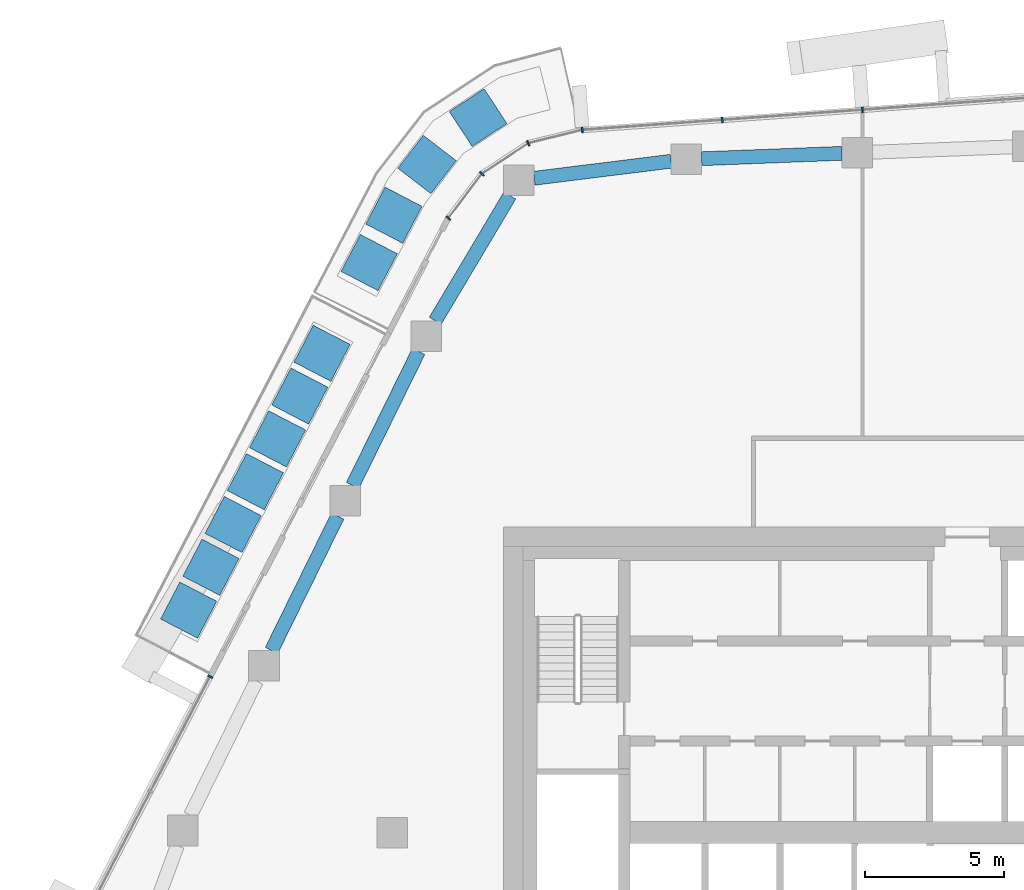
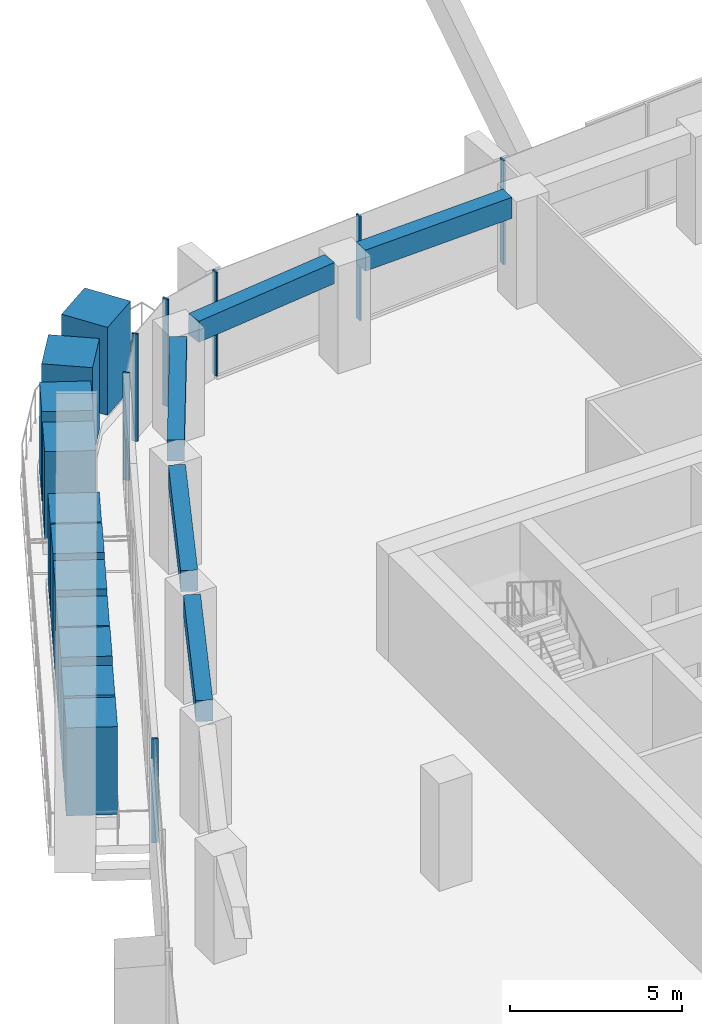
# One storey, part 6 of 20: 18 members, 5 beams, 3 elements without a shape of their own.
"""IFC4 building model written with IfcOpenShell, lengths in metres."""

import ifcopenshell
import ifcopenshell.guid

model = None  # the IFC model being written
_history = None  # IfcOwnerHistory: only IFC2X3 demands one
_inside = {}  # id of a spatial element -> (the spatial element, [elements in it])
_under = {}  # id of a project, library or spatial element -> (it, [spatial elements below it])
_declared = {}  # id of a project -> (the project, [libraries it declares])
_typed = {}  # id of a type object -> (the type object, [elements of that type])
_made_of = {}  # id of a material, layer set ... -> (it, [elements and type objects made of it])


def new_model(schema):
    """Start an empty IFC model of exactly this schema.

    Asked for "IFC4X3", IfcOpenShell would pick the latest addendum, in which some entities
    have other attributes; the version numbers below select the first issue.
    IFC2X3 requires an IfcOwnerHistory on every rooted entity: one is made here for all.
    """
    global model, _history
    if schema == "IFC4X3":
        model = ifcopenshell.file(schema_version=(4, 3, 0, 0))
    else:
        model = ifcopenshell.file(schema=schema)
    _inside.clear()
    _under.clear()
    _declared.clear()
    _typed.clear()
    _made_of.clear()
    _history = None
    if model.schema == "IFC2X3":
        org = make("IfcOrganization", Name="unknown")
        user = make(
            "IfcPersonAndOrganization",
            ThePerson=make("IfcPerson", FamilyName="unknown"),
            TheOrganization=org,
        )
        app = make(
            "IfcApplication",
            ApplicationDeveloper=org,
            Version="unknown",
            ApplicationFullName="unknown",
            ApplicationIdentifier="unknown",
        )
        _history = make(
            "IfcOwnerHistory",
            OwningUser=user,
            OwningApplication=app,
            ChangeAction="ADDED",
            CreationDate=0,
        )
    return model


def make(cls, **values):
    """One entity of the class cls with the attributes given. An attribute that is None is left unset."""
    return model.create_entity(
        cls, **{name: value for name, value in values.items() if value is not None}
    )


def rooted(cls, **values):
    """An entity with a GlobalId (a new one), such as an element, a storey or a relation."""
    return make(cls, GlobalId=ifcopenshell.guid.new(), OwnerHistory=_history, **values)


def si_unit(unit_type, name, prefix=None):
    """IfcSIUnit, for example si_unit("LENGTHUNIT", "METRE", prefix="MILLI")."""
    return make("IfcSIUnit", UnitType=unit_type, Prefix=prefix, Name=name)


def assignment(units):
    """IfcUnitAssignment: the units of a project."""
    return None if units is None else make("IfcUnitAssignment", Units=units)


def point(xyz):
    """IfcCartesianPoint."""
    return None if xyz is None else make("IfcCartesianPoint", Coordinates=xyz)


def direction(xyz):
    """IfcDirection."""
    return None if xyz is None else make("IfcDirection", DirectionRatios=xyz)


def frame(location, z_axis=None, x_axis=None):
    """IfcAxis2Placement3D, a coordinate frame: its origin and axes. An axis left out is left unset."""
    return make(
        "IfcAxis2Placement3D",
        Location=point(location),
        Axis=direction(z_axis),
        RefDirection=direction(x_axis),
    )


def frame_2d(location, x_axis=None):
    """IfcAxis2Placement2D, a coordinate frame in the plane: its origin and x axis."""
    return make(
        "IfcAxis2Placement2D", Location=point(location), RefDirection=direction(x_axis)
    )


def origin():
    """The frame at (0, 0, 0) with its axes left unset."""
    return frame((0.0, 0.0, 0.0))


def origin_2d():
    """The frame at (0, 0) in the plane with its x axis left unset."""
    return frame_2d((0.0, 0.0))


def place(relative_to, where):
    """IfcLocalPlacement: puts the frame where relative to a parent placement (None: the world)."""
    return make(
        "IfcLocalPlacement", PlacementRelTo=relative_to, RelativePlacement=where
    )


def context(
    kind, dimensions, precision=None, world=None, true_north=None, identifier=None
):
    """IfcGeometricRepresentationContext, for example the 3D "Model" context."""
    return make(
        "IfcGeometricRepresentationContext",
        ContextIdentifier=identifier,
        ContextType=kind,
        CoordinateSpaceDimension=dimensions,
        Precision=precision,
        WorldCoordinateSystem=world,
        TrueNorth=true_north,
    )


def subcontext(parent, identifier, kind, view, scale=None):
    """IfcGeometricRepresentationSubContext, for example "Body" below "Model"."""
    return make(
        "IfcGeometricRepresentationSubContext",
        ContextIdentifier=identifier,
        ContextType=kind,
        ParentContext=parent,
        TargetScale=scale,
        TargetView=view,
    )


def project(units=None, contexts=None):
    """IfcProject with its units and contexts."""
    return rooted(
        "IfcProject",
        Name="project",
        RepresentationContexts=contexts,
        UnitsInContext=assignment(units),
    )


def spatial(cls, under=None, at=None, **own):
    """A site, building, storey or space (cls), placed at a placement, below another one or the project."""
    s = rooted(cls, ObjectPlacement=at, **own)
    if under is not None:
        _under.setdefault(under.id(), (under, []))[1].append(s)
    return s


def profile(cls, at=None, kind="AREA", **sizes):
    """A parametric profile (cls). Its sizes go by their IFC names, for example OverallWidth=200.0."""
    return make(cls, ProfileType=kind, Position=at, **sizes)


def rectangle(**sizes):
    """IfcRectangleProfileDef."""
    return profile("IfcRectangleProfileDef", **sizes)


def extrude(swept, where, along, depth):
    """IfcExtrudedAreaSolid: the profile swept, set in the frame where, extruded along a direction by depth."""
    return make(
        "IfcExtrudedAreaSolid",
        SweptArea=swept,
        Position=where,
        ExtrudedDirection=direction(along),
        Depth=depth,
    )


def shape(context_of_items, identifier, shape_type, items):
    """IfcShapeRepresentation: the items that make up one representation, for example the "Body"."""
    return make(
        "IfcShapeRepresentation",
        ContextOfItems=context_of_items,
        RepresentationIdentifier=identifier,
        RepresentationType=shape_type,
        Items=items,
    )


def material(Name=None, Category=None):
    """IfcMaterial."""
    return make("IfcMaterial", Name=Name, Category=Category)


def layer(
    of_material, thickness, ventilated=None, Name=None, Category=None, Priority=None
):
    """IfcMaterialLayer: one layer of a wall or slab, of a material (None: an air gap)."""
    return make(
        "IfcMaterialLayer",
        Material=of_material,
        LayerThickness=thickness,
        IsVentilated=ventilated,
        Name=Name,
        Category=Category,
        Priority=Priority,
    )


def layer_set(layers, Name=None):
    """IfcMaterialLayerSet."""
    return make("IfcMaterialLayerSet", MaterialLayers=layers, LayerSetName=Name)


def material_profile(
    of_material, cross_section, Name=None, Category=None, Priority=None
):
    """IfcMaterialProfile: a cross section and its material."""
    return make(
        "IfcMaterialProfile",
        Name=Name,
        Material=of_material,
        Profile=cross_section,
        Priority=Priority,
        Category=Category,
    )


def profile_set(profiles, Name=None, composite=None):
    """IfcMaterialProfileSet."""
    return make(
        "IfcMaterialProfileSet",
        Name=Name,
        MaterialProfiles=profiles,
        CompositeProfile=composite,
    )


def made_of(thing, what):
    """Note that an element or type object is made of a material, layer set ...; save() writes the relation."""
    if what is not None:
        _made_of.setdefault(what.id(), (what, []))[1].append(thing)
    return thing


def type_object(cls, material=None, **own):
    """A type object (cls), such as IfcWallType, which elements share."""
    return made_of(rooted(cls, **own), material)


def element(
    cls,
    number,
    at=None,
    inside=None,
    cuts=None,
    type_object=None,
    material=None,
    context=None,
    identifier="Body",
    shape_type=None,
    held_by="IfcProductDefinitionShape",
    body=None,
    shapes=None,
    **own,
):
    """One element of the class cls, such as IfcWall. Its Tag is "e" and its number.

    at: its placement. inside: the storey or other place that contains it. cuts: it is an
    opening in that element (IfcRelVoidsElement). A single representation is given by context,
    identifier, shape_type and body (its items); several are given by shapes. held_by: the class
    of the entity that holds the representations. save() writes the other relations.
    """
    e = rooted(cls, Tag="e%d" % number, ObjectPlacement=at, **own)
    if body is not None:
        shapes = [shape(context, identifier, shape_type, body)]
    if shapes is not None:
        e.Representation = make(held_by, Representations=shapes)
    if inside is not None:
        _inside.setdefault(inside.id(), (inside, []))[1].append(e)
    if cuts is not None:
        rooted(
            "IfcRelVoidsElement", RelatingBuildingElement=cuts, RelatedOpeningElement=e
        )
    if type_object is not None:
        _typed.setdefault(type_object.id(), (type_object, []))[1].append(e)
    return made_of(e, material)


def aggregate(whole, parts):
    """IfcRelAggregates: a whole, such as a stair, and the parts it consists of."""
    return rooted("IfcRelAggregates", RelatingObject=whole, RelatedObjects=parts)


def save(model, path):
    """Write the relations noted so far, then the file.

    IfcRelAggregates (storeys below a building ...), IfcRelContainedInSpatialStructure (elements
    in a storey), IfcRelDefinesByType, IfcRelAssociatesMaterial and IfcRelDeclares: one each for
    every whole, place, type object, material and project.
    """
    for whole, parts in _under.values():
        aggregate(whole, parts)
    for where, things in _inside.values():
        rooted(
            "IfcRelContainedInSpatialStructure",
            RelatedElements=things,
            RelatingStructure=where,
        )
    for kind, things in _typed.values():
        rooted("IfcRelDefinesByType", RelatedObjects=things, RelatingType=kind)
    for what, things in _made_of.values():
        rooted("IfcRelAssociatesMaterial", RelatedObjects=things, RelatingMaterial=what)
    for by, libraries in _declared.values():
        rooted("IfcRelDeclares", RelatingContext=by, RelatedDefinitions=libraries)
    model.write(path)


model = new_model("IFC4")

# Units and contexts
model_context = context("Model", 3, precision=1e-05, world=origin(), true_north=direction((0.0, 1.0)))
body_context = subcontext(model_context, "Body", "Model", "MODEL_VIEW")
ifc_project = project(units=[si_unit("LENGTHUNIT", "METRE"), si_unit("AREAUNIT", "SQUARE_METRE"), si_unit("VOLUMEUNIT", "CUBIC_METRE"), si_unit("PLANEANGLEUNIT", "RADIAN"), si_unit("MASSUNIT", "GRAM", prefix="KILO")], contexts=[model_context])

# Site, building, storey
site_placement = place(None, origin())
site = spatial("IfcSite", under=ifc_project, at=site_placement, CompositionType="ELEMENT")
building_placement = place(site_placement, origin())
building = spatial("IfcBuilding", under=site, at=building_placement, Name="Dongbaek Canopy Tower", CompositionType="ELEMENT")
storey_placement = place(building_placement, frame((0.0, 0.0, 266.39990234375)))
storey = spatial("IfcBuildingStorey", under=building, at=storey_placement, Name="L56", CompositionType="ELEMENT", Elevation=266.39990234375)

# Curtain wall, members
ifc_material_1 = material(Name="Aluminium 6063-T6 pale anodised", Category="aluminium")
ifc_layer = layer(ifc_material_1, 0.199951171875)
ifc_layer_set = layer_set([ifc_layer], Name="CW-1 unitised tower curtain wall")
curtain_wall_type = type_object("IfcCurtainWallType", Name="CW-1 unitised tower curtain wall", PredefinedType="NOTDEFINED", material=ifc_layer_set)
curtain_wall_1_placement = place(storey_placement, origin())
curtain_wall_1 = element("IfcCurtainWall", 1, at=curtain_wall_1_placement, inside=storey, type_object=curtain_wall_type, Name="CW-1 curtain wall F1.1", PredefinedType="NOTDEFINED")
ifc_material_2 = material(Name="Aluminium 6063-T6 pale anodised", Category="aluminium")
ifc_material_profile_1 = material_profile(ifc_material_2, rectangle(XDim=0.199951171875, YDim=0.06005859375, at=origin_2d()), Name="CW-1 mullion 60 x 200")
ifc_profile_set_1 = profile_set([ifc_material_profile_1], Name="Aluminium 6063-T6 pale anodised")
member_type_1 = type_object("IfcMemberType", Name="CW-1 mullion 60 x 200", PredefinedType="MULLION", material=ifc_profile_set_1)
member_1_placement = place(storey_placement, frame((-1.07568359375, 26.025146484375, 0.1201171875), z_axis=(0.0, 0.0, 1.0), x_axis=(-0.07174408026, 0.997423073198, 0.0)))
member_1 = element("IfcMember", 2, at=member_1_placement, type_object=member_type_1, Name="CW-1 mullion F1.1.3", PredefinedType="MULLION", context=body_context, shape_type="SweptSolid", body=[
    extrude(rectangle(XDim=0.199951171875, YDim=0.06005859375, at=origin_2d()), origin(), (0.0, 0.0, 1.0), 3.699951171875),
])
member_2_placement = place(storey_placement, frame((-6.123046875, 25.662109375, 0.1201171875), z_axis=(0.0, 0.0, 1.0), x_axis=(-0.07174408026, 0.997423073198, 0.0)))
member_2 = element("IfcMember", 3, at=member_2_placement, type_object=member_type_1, Name="CW-1 mullion F1.1.4", PredefinedType="MULLION", context=body_context, shape_type="SweptSolid", body=[
    extrude(rectangle(XDim=0.199951171875, YDim=0.06005859375, at=origin_2d()), origin(), (0.0, 0.0, 1.0), 3.699951171875),
])
member_3_placement = place(storey_placement, frame((-11.161865234375, 25.2998046875, 0.1201171875), z_axis=(0.0, 0.0, 1.0), x_axis=(-0.07174408026, 0.997423073198, 0.0)))
member_3 = element("IfcMember", 4, at=member_3_placement, type_object=member_type_1, Name="CW-1 mullion F1.1.5", PredefinedType="MULLION", context=body_context, shape_type="SweptSolid", body=[
    extrude(rectangle(XDim=0.199951171875, YDim=0.06005859375, at=origin_2d()), origin(), (0.0, 0.0, 1.0), 3.699951171875),
])
aggregate(curtain_wall_1, [member_1, member_2, member_3])

curtain_wall_2_placement = place(storey_placement, origin())
curtain_wall_2 = element("IfcCurtainWall", 5, at=curtain_wall_2_placement, inside=storey, type_object=curtain_wall_type, Name="CW-1 curtain wall K2.1", PredefinedType="NOTDEFINED")
member_4_placement = place(storey_placement, frame((-13.10791015625, 24.819580078125, 0.0), z_axis=(0.0, 0.0, 1.0), x_axis=(-0.400265854964, 0.916399064464, 0.0)))
member_4 = element("IfcMember", 6, at=member_4_placement, type_object=member_type_1, Name="CW-1 mullion K2.1.2", PredefinedType="MULLION", context=body_context, shape_type="SweptSolid", body=[
    extrude(rectangle(XDim=0.199951171875, YDim=0.06005859375, at=origin_2d()), origin(), (0.0, 0.0, 1.0), 3.820068359375),
])
member_5_placement = place(storey_placement, frame((-14.775390625, 23.722900390625, 0.0), z_axis=(0.0, 0.0, 1.0), x_axis=(-0.682960612971, 0.730455201316, 0.0)))
member_5 = element("IfcMember", 7, at=member_5_placement, type_object=member_type_1, Name="CW-1 mullion K2.1.3", PredefinedType="MULLION", context=body_context, shape_type="SweptSolid", body=[
    extrude(rectangle(XDim=0.199951171875, YDim=0.06005859375, at=origin_2d()), origin(), (0.0, 0.0, 1.0), 3.820068359375),
])
member_6_placement = place(storey_placement, frame((-15.987060546875, 22.1259765625, 0.0), z_axis=(0.0, 0.0, 1.0), x_axis=(-0.796696055663, 0.604380174138, 0.0)))
member_6 = element("IfcMember", 8, at=member_6_placement, type_object=member_type_1, Name="CW-1 mullion K2.1.4", PredefinedType="MULLION", context=body_context, shape_type="SweptSolid", body=[
    extrude(rectangle(XDim=0.199951171875, YDim=0.06005859375, at=origin_2d()), origin(), (0.0, 0.0, 1.0), 3.820068359375),
])
aggregate(curtain_wall_2, [member_4, member_5, member_6])

# Curtain wall, member
curtain_wall_3_placement = place(storey_placement, origin())
curtain_wall_3 = element("IfcCurtainWall", 9, at=curtain_wall_3_placement, inside=storey, type_object=curtain_wall_type, Name="CW-1 curtain wall F2.1", PredefinedType="NOTDEFINED")
member_7_placement = place(storey_placement, frame((-24.560791015625, 5.616455078125, 0.1201171875), z_axis=(0.0, 0.0, 1.0), x_axis=(-0.887462222541, 0.460880465591, 0.0)))
member_7 = element("IfcMember", 10, at=member_7_placement, type_object=member_type_1, Name="CW-1 mullion F2.1.1", PredefinedType="MULLION", context=body_context, shape_type="SweptSolid", body=[
    extrude(rectangle(XDim=0.199951171875, YDim=0.06005859375, at=origin_2d()), origin(), (0.0, 0.0, 1.0), 3.699951171875),
])
aggregate(curtain_wall_3, [member_7])

# Beams
ifc_material_3 = material(Name="Concrete C70", Category="concrete")
ifc_material_profile_2 = material_profile(ifc_material_3, rectangle(XDim=0.5, YDim=0.75, at=origin_2d()), Name="RC EDGE BEAM 500x750 C70")
ifc_profile_set_2 = profile_set([ifc_material_profile_2], Name="Concrete C70")
beam_type = type_object("IfcBeamType", Name="RC EDGE BEAM 500x750 C70", PredefinedType="BEAM", material=ifc_profile_set_2)
beam_1_placement = place(storey_placement, frame((-22.350341796875, 6.56103515625, 3.445068359375), z_axis=(0.441366916234, 0.897326721576, 0.0), x_axis=(-0.897326721576, 0.441366916234, 0.0)))
element("IfcBeam", 11, at=beam_1_placement, inside=storey, type_object=beam_type, Name="EDGEBEAM:L56:10", PredefinedType="BEAM", context=body_context, shape_type="SweptSolid", body=[
    extrude(rectangle(XDim=0.5, YDim=0.75, at=origin_2d()), origin(), (0.0, 0.0, 1.0), 5.38720703125),
])
beam_2_placement = place(storey_placement, frame((-19.431396484375, 12.4951171875, 3.445068359375), z_axis=(0.441347181793, 0.89733642806, 0.0), x_axis=(-0.89733642806, 0.441347181793, 0.0)))
element("IfcBeam", 12, at=beam_2_placement, inside=storey, type_object=beam_type, Name="EDGEBEAM:L56:11", PredefinedType="BEAM", context=body_context, shape_type="SweptSolid", body=[
    extrude(rectangle(XDim=0.5, YDim=0.75, at=origin_2d()), origin(), (0.0, 0.0, 1.0), 5.3857421875),
])
beam_3_placement = place(storey_placement, frame((-16.45654296875, 18.427978515625, 3.445068359375), z_axis=(0.511587639318, 0.85923110238, 0.0), x_axis=(-0.85923110238, 0.511587639318, 0.0)))
element("IfcBeam", 13, at=beam_3_placement, inside=storey, type_object=beam_type, Name="EDGEBEAM:L56:12", PredefinedType="BEAM", context=body_context, shape_type="SweptSolid", body=[
    extrude(rectangle(XDim=0.5, YDim=0.75, at=origin_2d()), origin(), (0.0, 0.0, 1.0), 5.252197265625),
])
beam_4_placement = place(storey_placement, frame((-12.89208984375, 23.5595703125, 3.445068359375), z_axis=(0.992305840698, 0.123810817446, 0.0), x_axis=(-0.123810817446, 0.992305840698, 0.0)))
element("IfcBeam", 14, at=beam_4_placement, inside=storey, type_object=beam_type, Name="EDGEBEAM:L56:13", PredefinedType="BEAM", context=body_context, shape_type="SweptSolid", body=[
    extrude(rectangle(XDim=0.5, YDim=0.75, at=origin_2d()), origin(), (0.0, 0.0, 1.0), 4.965087890625),
])
beam_5_placement = place(storey_placement, frame((-6.864990234375, 24.26416015625, 3.445068359375), z_axis=(0.999263812988, 0.038364463397, 0.0), x_axis=(-0.038364463397, 0.999263812988, 0.0)))
element("IfcBeam", 15, at=beam_5_placement, inside=storey, type_object=beam_type, Name="EDGEBEAM:L56:14", PredefinedType="BEAM", context=body_context, shape_type="SweptSolid", body=[
    extrude(rectangle(XDim=0.5, YDim=0.75, at=origin_2d()), origin(), (0.0, 0.0, 1.0), 5.052734375),
])

# Members
ifc_material_4 = material(Name="Concrete C40/50 planter mass with planting", Category="concrete")
ifc_material_profile_3 = material_profile(ifc_material_4, rectangle(XDim=1.5, YDim=1.5, at=origin_2d()), Name="Terrace PLANTER shrub mass 1500 x 1500")
ifc_profile_set_3 = profile_set([ifc_material_profile_3], Name="Concrete C40/50 planter mass with planting")
member_type_2 = type_object("IfcMemberType", Name="Terrace PLANTER shrub mass 1500 x 1500", PredefinedType="USERDEFINED", material=ifc_profile_set_3)
member_8_placement = place(storey_placement, frame((-20.531005859375, 17.259765625, 0.420166015625), z_axis=(0.0, 0.0, 1.0), x_axis=(-0.887462222541, 0.460880465591, 0.0)))
element("IfcMember", 16, at=member_8_placement, inside=storey, type_object=member_type_2, Name="Planter shrubs L56 1.1", ObjectType="PLANTER", PredefinedType="USERDEFINED", context=body_context, shape_type="SweptSolid", body=[
    extrude(rectangle(XDim=1.5, YDim=1.5, at=origin_2d()), origin(), (0.0, 0.0, 1.0), 3.1298828125),
])
member_9_placement = place(storey_placement, frame((-21.33154296875, 15.71826171875, 0.420166015625), z_axis=(0.0, 0.0, 1.0), x_axis=(-0.887462222541, 0.460880465591, 0.0)))
element("IfcMember", 17, at=member_9_placement, inside=storey, type_object=member_type_2, Name="Planter shrubs L56 1.2", ObjectType="PLANTER", PredefinedType="USERDEFINED", context=body_context, shape_type="SweptSolid", body=[
    extrude(rectangle(XDim=1.5, YDim=1.5, at=origin_2d()), origin(), (0.0, 0.0, 1.0), 3.25),
])
member_10_placement = place(storey_placement, frame((-22.132080078125, 14.1767578125, 0.420166015625), z_axis=(0.0, 0.0, 1.0), x_axis=(-0.887462222541, 0.460880465591, 0.0)))
element("IfcMember", 18, at=member_10_placement, inside=storey, type_object=member_type_2, Name="Planter shrubs L56 1.3", ObjectType="PLANTER", PredefinedType="USERDEFINED", context=body_context, shape_type="SweptSolid", body=[
    extrude(rectangle(XDim=1.5, YDim=1.5, at=origin_2d()), origin(), (0.0, 0.0, 1.0), 3.169921875),
])
member_11_placement = place(storey_placement, frame((-22.9326171875, 12.63525390625, 0.420166015625), z_axis=(0.0, 0.0, 1.0), x_axis=(-0.887462222541, 0.460880465591, 0.0)))
element("IfcMember", 19, at=member_11_placement, inside=storey, type_object=member_type_2, Name="Planter shrubs L56 1.4", ObjectType="PLANTER", PredefinedType="USERDEFINED", context=body_context, shape_type="SweptSolid", body=[
    extrude(rectangle(XDim=1.5, YDim=1.5, at=origin_2d()), origin(), (0.0, 0.0, 1.0), 3.08984375),
])
member_12_placement = place(storey_placement, frame((-23.733154296875, 11.09375, 0.420166015625), z_axis=(0.0, 0.0, 1.0), x_axis=(-0.887462222541, 0.460880465591, 0.0)))
element("IfcMember", 20, at=member_12_placement, inside=storey, type_object=member_type_2, Name="Planter shrubs L56 1.5", ObjectType="PLANTER", PredefinedType="USERDEFINED", context=body_context, shape_type="SweptSolid", body=[
    extrude(rectangle(XDim=1.5, YDim=1.5, at=origin_2d()), origin(), (0.0, 0.0, 1.0), 3.2099609375),
])
member_13_placement = place(storey_placement, frame((-24.53369140625, 9.55224609375, 0.420166015625), z_axis=(0.0, 0.0, 1.0), x_axis=(-0.887462222541, 0.460880465591, 0.0)))
element("IfcMember", 21, at=member_13_placement, inside=storey, type_object=member_type_2, Name="Planter shrubs L56 1.6", ObjectType="PLANTER", PredefinedType="USERDEFINED", context=body_context, shape_type="SweptSolid", body=[
    extrude(rectangle(XDim=1.5, YDim=1.5, at=origin_2d()), origin(), (0.0, 0.0, 1.0), 3.050048828125),
])
for number, where, z_axis, x_axis, name in (
    (22, (-25.334228515625, 8.010986328125, 0.420166015625), (0.0, 0.0, 1.0), (-0.887462222541, 0.460880465591, 0.0), "Planter shrubs L56 1.7"),
    (23, (-14.912109375, 25.746337890625, 0.420166015625), (0.0, 0.0, 1.0), (-0.549534962743, 0.835470720446, 0.0), "Planter shrubs L56 5.1"),
):
    element("IfcMember", number, at=place(storey_placement, frame(where, z_axis=z_axis, x_axis=x_axis)), inside=storey, type_object=member_type_2, Name=name, ObjectType="PLANTER", PredefinedType="USERDEFINED", context=body_context, shape_type="SweptSolid", body=[
        extrude(rectangle(XDim=1.5, YDim=1.5, at=origin_2d()), origin(), (0.0, 0.0, 1.0), 3.1298828125),
    ])
member_14_placement = place(storey_placement, frame((-16.74951171875, 24.05712890625, 0.420166015625), z_axis=(0.0, 0.0, 1.0), x_axis=(-0.79218720502, 0.610278159697, 0.0)))
element("IfcMember", 24, at=member_14_placement, inside=storey, type_object=member_type_2, Name="Planter shrubs L56 5.2", ObjectType="PLANTER", PredefinedType="USERDEFINED", context=body_context, shape_type="SweptSolid", body=[
    extrude(rectangle(XDim=1.5, YDim=1.5, at=origin_2d()), origin(), (0.0, 0.0, 1.0), 3.25),
])
member_15_placement = place(storey_placement, frame((-17.944580078125, 22.230224609375, 0.420166015625), z_axis=(0.0, 0.0, 1.0), x_axis=(-0.886730010446, 0.462287668638, 0.0)))
element("IfcMember", 25, at=member_15_placement, inside=storey, type_object=member_type_2, Name="Planter shrubs L56 5.3", ObjectType="PLANTER", PredefinedType="USERDEFINED", context=body_context, shape_type="SweptSolid", body=[
    extrude(rectangle(XDim=1.5, YDim=1.5, at=origin_2d()), origin(), (0.0, 0.0, 1.0), 3.169921875),
])
member_16_placement = place(storey_placement, frame((-18.833740234375, 20.52490234375, 0.420166015625), z_axis=(0.0, 0.0, 1.0), x_axis=(-0.886730010446, 0.462287668638, 0.0)))
element("IfcMember", 26, at=member_16_placement, inside=storey, type_object=member_type_2, Name="Planter shrubs L56 5.4", ObjectType="PLANTER", PredefinedType="USERDEFINED", context=body_context, shape_type="SweptSolid", body=[
    extrude(rectangle(XDim=1.5, YDim=1.5, at=origin_2d()), origin(), (0.0, 0.0, 1.0), 3.08984375),
])

save(model, "model.ifc")
